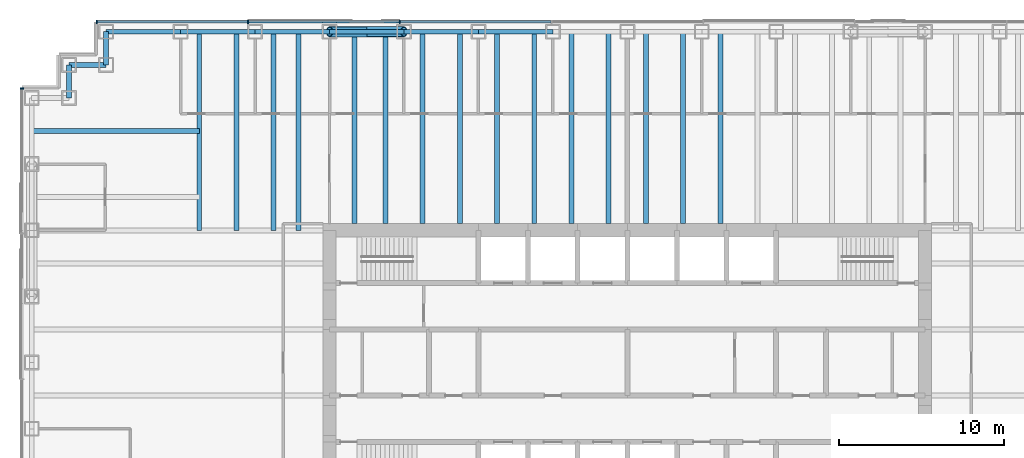
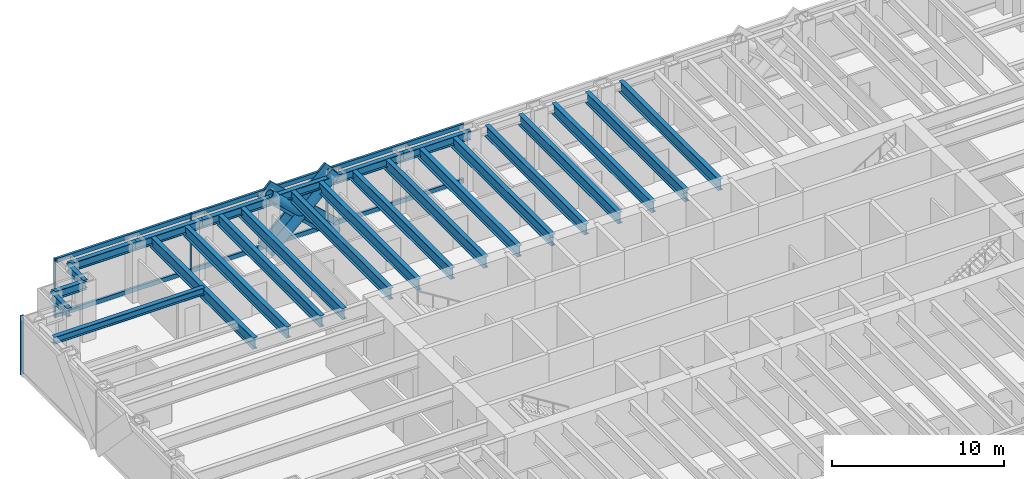
# One storey, part 5 of 17: 25 beams, 14 members, 2 elements without a shape of their own.
"""IFC4 building model written with IfcOpenShell, lengths in metres."""

from ifc_helpers import new_model, si_unit, direction, frame, origin, origin_2d, place, context, subcontext, project, spatial, rectangle, hollow_circle, i_section, extrude, material, material_profile, profile_set, type_object, element, aggregate, save


model = new_model("IFC4")

# Units and contexts
model_context = context("Model", 3, precision=1e-05, world=origin(), true_north=direction((0.0, 1.0)))
body_context = subcontext(model_context, "Body", "Model", "MODEL_VIEW")
ifc_project = project(units=[si_unit("LENGTHUNIT", "METRE"), si_unit("AREAUNIT", "SQUARE_METRE"), si_unit("VOLUMEUNIT", "CUBIC_METRE"), si_unit("PLANEANGLEUNIT", "RADIAN"), si_unit("MASSUNIT", "GRAM", prefix="KILO")], contexts=[model_context])

# Site, building, storey
site_placement = place(None, origin())
site = spatial("IfcSite", under=ifc_project, at=site_placement, CompositionType="ELEMENT")
building_placement = place(site_placement, origin())
building = spatial("IfcBuilding", under=site, at=building_placement, Name="Rheinbord Bourse Tower", CompositionType="ELEMENT")
storey_placement = place(building_placement, frame((0.0, 0.0, 227.800048828125)))
storey = spatial("IfcBuildingStorey", under=building, at=storey_placement, Name="L51", CompositionType="ELEMENT", Elevation=227.800048828125)

# Curtain wall, members
ifc_material_1 = material(Name="Dark glass and black aluminium", Category="aluminium")
curtain_wall_type = type_object("IfcCurtainWallType", Name="CW2 DARK GLASS CURTAIN WALL", PredefinedType="USERDEFINED", material=ifc_material_1)
curtain_wall_1_placement = place(storey_placement, origin())
curtain_wall_1 = element("IfcCurtainWall", 1, at=curtain_wall_1_placement, inside=storey, type_object=curtain_wall_type, Name="Curtain wall CW2 N L51", ObjectType="UNITISED CURTAIN WALL", PredefinedType="USERDEFINED")
ifc_material_2 = material(Name="Black anodised aluminium", Category="aluminium")
ifc_material_profile_1 = material_profile(ifc_material_2, rectangle(XDim=0.159912109375, YDim=1.2099609375, at=origin_2d()), Name="CW2 DIAGONAL MULLION 1210x160")
ifc_profile_set_1 = profile_set([ifc_material_profile_1], Name="Black anodised aluminium")
member_type_1 = type_object("IfcMemberType", Name="CW2 BLACK DIAGONAL MULLION", PredefinedType="USERDEFINED", material=ifc_profile_set_1)
member_1_placement = place(storey_placement, frame((22.5, 44.60009765625, 0.0), z_axis=(-0.73105922506, 0.0, 0.682314010889), x_axis=(0.0, -1.0, 0.0)))
member_1 = element("IfcMember", 2, at=member_1_placement, type_object=member_type_1, Name="CW2 diagonal mullion a", ObjectType="DIAGONAL MULLION", PredefinedType="USERDEFINED", context=body_context, shape_type="SweptSolid", body=[
    extrude(rectangle(XDim=0.159912109375, YDim=1.2099609375, at=origin_2d()), origin(), (0.0, 0.0, 1.0), 6.155517578125),
])
member_2_placement = place(storey_placement, frame((18.0, 44.60009765625, 0.0), z_axis=(0.73105922506, 0.0, 0.682314010889), x_axis=(0.0, 1.0, 0.0)))
member_2 = element("IfcMember", 3, at=member_2_placement, type_object=member_type_1, Name="CW2 diagonal mullion c", ObjectType="DIAGONAL MULLION", PredefinedType="USERDEFINED", context=body_context, shape_type="SweptSolid", body=[
    extrude(rectangle(XDim=0.159912109375, YDim=1.2099609375, at=origin_2d()), origin(), (0.0, 0.0, 1.0), 6.155517578125),
])
ifc_material_3 = material(Name="Black anodised aluminium", Category="aluminium")
ifc_material_profile_2 = material_profile(ifc_material_3, rectangle(XDim=0.219970703125, YDim=0.070068359375, at=origin_2d()), Name="CW2 MULLION 70x220")
ifc_profile_set_2 = profile_set([ifc_material_profile_2], Name="Black anodised aluminium")
member_type_2 = type_object("IfcMemberType", Name="CW2 BLACK MULLION", PredefinedType="MULLION", material=ifc_profile_set_2)
member_3_placement = place(storey_placement, frame((22.242919921875, 44.60009765625, 0.0), z_axis=(0.0, 0.0, 1.0), x_axis=(0.0, -1.0, 0.0)))
member_3 = element("IfcMember", 4, at=member_3_placement, type_object=member_type_2, Name="CW2 mullion 6", PredefinedType="MULLION", context=body_context, shape_type="SweptSolid", body=[
    extrude(rectangle(XDim=0.219970703125, YDim=0.070068359375, at=origin_2d()), origin(), (0.0, 0.0, 1.0), 4.199951171875),
])
member_4_placement = place(storey_placement, frame((13.071533203125, 44.60009765625, 0.0), z_axis=(0.0, 0.0, 1.0), x_axis=(0.0, -1.0, 0.0)))
member_4 = element("IfcMember", 5, at=member_4_placement, type_object=member_type_2, Name="CW2 mullion 7", PredefinedType="MULLION", context=body_context, shape_type="SweptSolid", body=[
    extrude(rectangle(XDim=0.219970703125, YDim=0.070068359375, at=origin_2d()), origin(), (0.0, 0.0, 1.0), 4.199951171875),
])
member_5_placement = place(storey_placement, frame((3.93505859375, 44.60009765625, 0.0), z_axis=(0.0, 0.0, 1.0), x_axis=(0.0, -1.0, 0.0)))
member_5 = element("IfcMember", 6, at=member_5_placement, type_object=member_type_2, Name="CW2 mullion 8", PredefinedType="MULLION", context=body_context, shape_type="SweptSolid", body=[
    extrude(rectangle(XDim=0.219970703125, YDim=0.070068359375, at=origin_2d()), origin(), (0.0, 0.0, 1.0), 4.199951171875),
])

# Curtain wall, member
curtain_wall_2_placement = place(storey_placement, origin())
curtain_wall_2 = element("IfcCurtainWall", 7, at=curtain_wall_2_placement, inside=storey, type_object=curtain_wall_type, Name="Curtain wall CW2 W L51", ObjectType="UNITISED CURTAIN WALL", PredefinedType="USERDEFINED")
member_6_placement = place(storey_placement, frame((-0.60009765625, 40.56494140625, 0.0), z_axis=(0.0, 0.0, 1.0), x_axis=(1.0, 0.0, 0.0)))
member_6 = element("IfcMember", 8, at=member_6_placement, type_object=member_type_2, Name="CW2 mullion 1", PredefinedType="MULLION", context=body_context, shape_type="SweptSolid", body=[
    extrude(rectangle(XDim=0.219970703125, YDim=0.070068359375, at=origin_2d()), origin(), (0.0, 0.0, 1.0), 4.199951171875),
])
aggregate(curtain_wall_2, [member_6])

# Member
ifc_material_4 = material(Name="Black anodised aluminium", Category="aluminium")
ifc_material_profile_3 = material_profile(ifc_material_4, rectangle(XDim=0.159912109375, YDim=0.300048828125, at=origin_2d()), Name="CW2 TRANSOM 300x160")
ifc_profile_set_3 = profile_set([ifc_material_profile_3], Name="Black anodised aluminium")
member_type_3 = type_object("IfcMemberType", Name="CW2 BLACK TRANSOM", PredefinedType="USERDEFINED", material=ifc_profile_set_3)
member_7_placement = place(storey_placement, frame((31.37939453125, 44.60009765625, 0.14990234375), z_axis=(-1.0, 0.0, 0.0), x_axis=(0.0, -1.0, 0.0)))
member_7 = element("IfcMember", 9, at=member_7_placement, type_object=member_type_3, Name="CW2 transom 5.1", ObjectType="TRANSOM", PredefinedType="USERDEFINED", context=body_context, shape_type="SweptSolid", body=[
    extrude(rectangle(XDim=0.159912109375, YDim=0.300048828125, at=origin_2d()), origin(), (0.0, 0.0, 1.0), 9.1015625),
])

member_8_placement = place(storey_placement, frame((31.37939453125, 44.60009765625, 4.050048828125), z_axis=(-1.0, 0.0, 0.0), x_axis=(0.0, -1.0, 0.0)))
member_8 = element("IfcMember", 10, at=member_8_placement, type_object=member_type_3, Name="CW2 transom 5.2", ObjectType="TRANSOM", PredefinedType="USERDEFINED", context=body_context, shape_type="SweptSolid", body=[
    extrude(rectangle(XDim=0.159912109375, YDim=0.300048828125, at=origin_2d()), origin(), (0.0, 0.0, 1.0), 9.1015625),
])

member_9_placement = place(storey_placement, frame((22.207763671875, 44.60009765625, 0.14990234375), z_axis=(-1.0, 0.0, 0.0), x_axis=(0.0, -1.0, 0.0)))
member_9 = element("IfcMember", 11, at=member_9_placement, type_object=member_type_3, Name="CW2 transom 6.1", ObjectType="TRANSOM", PredefinedType="USERDEFINED", context=body_context, shape_type="SweptSolid", body=[
    extrude(rectangle(XDim=0.159912109375, YDim=0.300048828125, at=origin_2d()), origin(), (0.0, 0.0, 1.0), 9.101318359375),
])

member_10_placement = place(storey_placement, frame((22.207763671875, 44.60009765625, 4.050048828125), z_axis=(-1.0, 0.0, 0.0), x_axis=(0.0, -1.0, 0.0)))
member_10 = element("IfcMember", 12, at=member_10_placement, type_object=member_type_3, Name="CW2 transom 6.2", ObjectType="TRANSOM", PredefinedType="USERDEFINED", context=body_context, shape_type="SweptSolid", body=[
    extrude(rectangle(XDim=0.159912109375, YDim=0.300048828125, at=origin_2d()), origin(), (0.0, 0.0, 1.0), 9.101318359375),
])

member_11_placement = place(storey_placement, frame((13.036376953125, 44.60009765625, 0.14990234375), z_axis=(-1.0, 0.0, 0.0), x_axis=(0.0, -1.0, 0.0)))
member_11 = element("IfcMember", 13, at=member_11_placement, type_object=member_type_3, Name="CW2 transom 7.1", ObjectType="TRANSOM", PredefinedType="USERDEFINED", context=body_context, shape_type="SweptSolid", body=[
    extrude(rectangle(XDim=0.159912109375, YDim=0.300048828125, at=origin_2d()), origin(), (0.0, 0.0, 1.0), 9.06640625),
])

member_12_placement = place(storey_placement, frame((13.036376953125, 44.60009765625, 4.050048828125), z_axis=(-1.0, 0.0, 0.0), x_axis=(0.0, -1.0, 0.0)))
member_12 = element("IfcMember", 14, at=member_12_placement, type_object=member_type_3, Name="CW2 transom 7.2", ObjectType="TRANSOM", PredefinedType="USERDEFINED", context=body_context, shape_type="SweptSolid", body=[
    extrude(rectangle(XDim=0.159912109375, YDim=0.300048828125, at=origin_2d()), origin(), (0.0, 0.0, 1.0), 9.06640625),
])

aggregate(curtain_wall_1, [member_3, member_4, member_5, member_7, member_8, member_9, member_10, member_11, member_12, member_1, member_2])

# Beams
ifc_material_5 = material(Name="Steel S460", Category="steel")
ifc_material_profile_4 = material_profile(ifc_material_5, i_section(OverallWidth=0.300048828125, OverallDepth=0.800048828125, WebThickness=0.017578125, FlangeThickness=0.032958984375, at=origin_2d()), Name="HEB 800")
ifc_profile_set_4 = profile_set([ifc_material_profile_4], Name="Steel S460")
beam_type_1 = type_object("IfcBeamType", Name="FLOOR BEAM HEB 800", PredefinedType="BEAM", material=ifc_profile_set_4)
for number, where, z_axis, x_axis, name in (
    (15, (10.125, 44.0, 3.639892578125), (0.0, -1.0, 0.0), (1.0, 0.0, 0.0), "Floor beam N-9a L52"),
    (16, (12.375, 44.0, 3.639892578125), (0.0, -1.0, 0.0), (1.0, 0.0, 0.0), "Floor beam N-9b L52"),
    (17, (14.625, 44.0, 3.639892578125), (0.0, -1.0, 0.0), (1.0, 0.0, 0.0), "Floor beam N-13.5a L52"),
    (18, (16.125, 44.0, 3.639892578125), (0.0, -1.0, 0.0), (1.0, 0.0, 0.0), "Floor beam N-13.5b L52"),
):
    element("IfcBeam", number, at=place(storey_placement, frame(where, z_axis=z_axis, x_axis=x_axis)), inside=storey, type_object=beam_type_1, Name=name, PredefinedType="BEAM", context=body_context, shape_type="SweptSolid", body=[
        extrude(i_section(OverallWidth=0.300048828125, OverallDepth=0.800048828125, WebThickness=0.017578125, FlangeThickness=0.032958984375, at=origin_2d()), origin(), (0.0, 0.0, 1.0), 12.0),
    ])
for number, where, z_axis, x_axis, name in (
    (19, (19.5, 44.0, 3.639892578125), (0.0, -1.0, 0.0), (1.0, 0.0, 0.0), "Floor beam N-18a L52"),
    (20, (21.375, 44.0, 3.639892578125), (0.0, -1.0, 0.0), (1.0, 0.0, 0.0), "Floor beam N-18b L52"),
    (21, (23.625, 44.0, 3.639892578125), (0.0, -1.0, 0.0), (1.0, 0.0, 0.0), "Floor beam N-22.5a L52"),
    (22, (25.875, 44.0, 3.639892578125), (0.0, -1.0, 0.0), (1.0, 0.0, 0.0), "Floor beam N-22.5b L52"),
    (23, (28.125, 44.0, 3.639892578125), (0.0, -1.0, 0.0), (1.0, 0.0, 0.0), "Floor beam N-27a L52"),
    (24, (30.375, 44.0, 3.639892578125), (0.0, -1.0, 0.0), (1.0, 0.0, 0.0), "Floor beam N-27b L52"),
    (25, (32.625, 44.0, 3.639892578125), (0.0, -1.0, 0.0), (1.0, 0.0, 0.0), "Floor beam N-31.5a L52"),
    (26, (34.875, 44.0, 3.639892578125), (0.0, -1.0, 0.0), (1.0, 0.0, 0.0), "Floor beam N-31.5b L52"),
    (27, (37.125, 44.0, 3.639892578125), (0.0, -1.0, 0.0), (1.0, 0.0, 0.0), "Floor beam N-36a L52"),
    (28, (39.375, 44.0, 3.639892578125), (0.0, -1.0, 0.0), (1.0, 0.0, 0.0), "Floor beam N-36b L52"),
    (29, (41.625, 44.0, 3.639892578125), (0.0, -1.0, 0.0), (1.0, 0.0, 0.0), "Floor beam N-40.5a L52"),
):
    element("IfcBeam", number, at=place(storey_placement, frame(where, z_axis=z_axis, x_axis=x_axis)), inside=storey, type_object=beam_type_1, Name=name, PredefinedType="BEAM", context=body_context, shape_type="SweptSolid", body=[
        extrude(i_section(OverallWidth=0.300048828125, OverallDepth=0.800048828125, WebThickness=0.017578125, FlangeThickness=0.032958984375, at=origin_2d()), origin(), (0.0, 0.0, 1.0), 11.60009765625),
    ])

# Members
ifc_material_6 = material(Name="Steel S460", Category="steel")
ifc_material_profile_5 = material_profile(ifc_material_6, hollow_circle(Radius=0.304931640625, WallThickness=0.0400390625, at=origin_2d()), Name="CHS 610x40")
ifc_profile_set_5 = profile_set([ifc_material_profile_5], Name="Steel S460")
member_type_4 = type_object("IfcMemberType", Name="MEGABRACE CHS 610x40", PredefinedType="BRACE", material=ifc_profile_set_5)
for number, where, z_axis, x_axis, name in (
    (30, (22.5, 44.0, 0.0), (-0.73105922506, 0.0, 0.682314010889), (0.0, -1.0, 0.0), "Megabrace N face line a L51"),
    (31, (18.0, 44.0, 0.0), (0.73105922506, 0.0, 0.682314010889), (0.0, 1.0, 0.0), "Megabrace N face line c L51"),
):
    element("IfcMember", number, at=place(storey_placement, frame(where, z_axis=z_axis, x_axis=x_axis)), inside=storey, type_object=member_type_4, Name=name, PredefinedType="BRACE", context=body_context, shape_type="SweptSolid", body=[
        extrude(hollow_circle(Radius=0.304931640625, WallThickness=0.0400390625, at=origin_2d()), origin(), (0.0, 0.0, 1.0), 6.155517578125),
    ])

# Beams
ifc_material_7 = material(Name="Steel S460", Category="steel")
ifc_material_profile_6 = material_profile(ifc_material_7, i_section(OverallWidth=0.300048828125, OverallDepth=0.60009765625, WebThickness=0.015380859375, FlangeThickness=0.030029296875, at=origin_2d()), Name="HEB 600")
ifc_profile_set_6 = profile_set([ifc_material_profile_6], Name="Steel S460")
beam_type_2 = type_object("IfcBeamType", Name="SPANDREL HEB 600", PredefinedType="SPANDREL", material=ifc_profile_set_6)
for number, where, z_axis, x_axis, name in (
    (32, (31.5, 44.0, 3.739990234375), (-1.0, 0.0, 0.0), (0.0, -1.0, 0.0), "Spandrel N-31.5-N-27 under L52"),
    (33, (27.0, 44.0, 3.739990234375), (-1.0, 0.0, 0.0), (0.0, -1.0, 0.0), "Spandrel N-27-N-22.5 under L52"),
    (34, (22.5, 44.0, 3.739990234375), (-1.0, 0.0, 0.0), (0.0, -1.0, 0.0), "Spandrel N-22.5-N-18 under L52"),
    (35, (18.0, 44.0, 3.739990234375), (-1.0, 0.0, 0.0), (0.0, -1.0, 0.0), "Spandrel N-18-N-13.5 under L52"),
    (36, (13.5, 44.0, 3.739990234375), (-1.0, 0.0, 0.0), (0.0, -1.0, 0.0), "Spandrel N-13.5-N-9 under L52"),
    (37, (9.0, 44.0, 3.739990234375), (-1.0, 0.0, 0.0), (0.0, -1.0, 0.0), "Spandrel N-9-NW-E under L52"),
):
    element("IfcBeam", number, at=place(storey_placement, frame(where, z_axis=z_axis, x_axis=x_axis)), inside=storey, type_object=beam_type_2, Name=name, PredefinedType="SPANDREL", context=body_context, shape_type="SweptSolid", body=[
        extrude(i_section(OverallWidth=0.300048828125, OverallDepth=0.60009765625, WebThickness=0.015380859375, FlangeThickness=0.030029296875, at=origin_2d()), origin(), (0.0, 0.0, 1.0), 4.5),
    ])
beam_1_placement = place(storey_placement, frame((4.5, 44.0, 3.739990234375), z_axis=(0.0, -1.0, 0.0), x_axis=(1.0, 0.0, 0.0)))
element("IfcBeam", 38, at=beam_1_placement, inside=storey, type_object=beam_type_2, Name="Spandrel NW-E-NW-D under L52", PredefinedType="SPANDREL", context=body_context, shape_type="SweptSolid", body=[
    extrude(i_section(OverallWidth=0.300048828125, OverallDepth=0.60009765625, WebThickness=0.015380859375, FlangeThickness=0.030029296875, at=origin_2d()), origin(), (0.0, 0.0, 1.0), 2.0),
])
beam_2_placement = place(storey_placement, frame((4.5, 42.0, 3.739990234375), z_axis=(-1.0, 0.0, 0.0), x_axis=(0.0, -1.0, 0.0)))
element("IfcBeam", 39, at=beam_2_placement, inside=storey, type_object=beam_type_2, Name="Spandrel NW-D-NW-C under L52", PredefinedType="SPANDREL", context=body_context, shape_type="SweptSolid", body=[
    extrude(i_section(OverallWidth=0.300048828125, OverallDepth=0.60009765625, WebThickness=0.015380859375, FlangeThickness=0.030029296875, at=origin_2d()), origin(), (0.0, 0.0, 1.0), 2.25),
])
beam_3_placement = place(storey_placement, frame((2.25, 42.0, 3.739990234375), z_axis=(0.0, -1.0, 0.0), x_axis=(1.0, 0.0, 0.0)))
element("IfcBeam", 40, at=beam_3_placement, inside=storey, type_object=beam_type_2, Name="Spandrel NW-C-NW-B under L52", PredefinedType="SPANDREL", context=body_context, shape_type="SweptSolid", body=[
    extrude(i_section(OverallWidth=0.300048828125, OverallDepth=0.60009765625, WebThickness=0.015380859375, FlangeThickness=0.030029296875, at=origin_2d()), origin(), (0.0, 0.0, 1.0), 2.0),
])
ifc_material_8 = material(Name="Steel S460", Category="steel")
ifc_material_profile_7 = material_profile(ifc_material_8, i_section(OverallWidth=0.300048828125, OverallDepth=0.5, WebThickness=0.014404296875, FlangeThickness=0.028076171875, at=origin_2d()), Name="HEB 500")
ifc_profile_set_7 = profile_set([ifc_material_profile_7], Name="Steel S460")
beam_type_3 = type_object("IfcBeamType", Name="TIE BEAM HEB 500", PredefinedType="JOIST", material=ifc_profile_set_7)
beam_4_placement = place(storey_placement, frame((0.0, 38.0, 3.7900390625), z_axis=(1.0, 0.0, 0.0), x_axis=(0.0, 1.0, 0.0)))
element("IfcBeam", 41, at=beam_4_placement, inside=storey, type_object=beam_type_3, Name="Tie west 38 L52", PredefinedType="JOIST", context=body_context, shape_type="SweptSolid", body=[
    extrude(i_section(OverallWidth=0.300048828125, OverallDepth=0.5, WebThickness=0.014404296875, FlangeThickness=0.028076171875, at=origin_2d()), origin(), (0.0, 0.0, 1.0), 10.125),
])

save(model, "model.ifc")
